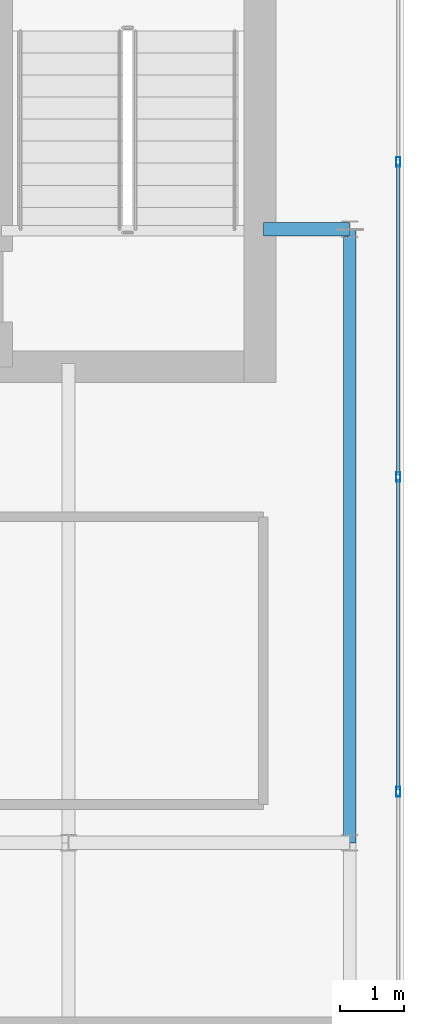
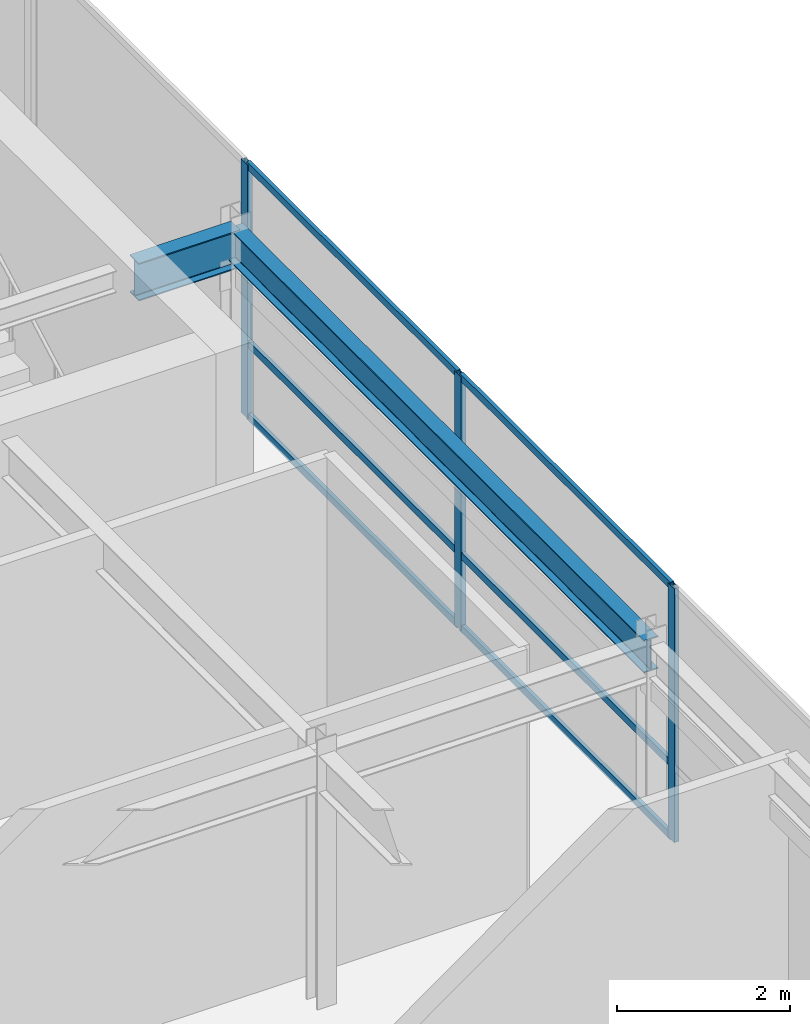
# One storey, part 24 of 36: 9 members, 2 beams, 1 element without a shape of its own.
"""IFC4 building model written with IfcOpenShell, lengths in metres."""

from ifc_helpers import new_model, si_unit, direction, frame, origin, origin_2d, place, context, subcontext, project, spatial, hollow_rectangle, i_section, extrude, source, transform, mapped, material, layer, layer_set, material_profile, profile_set, type_object, type_shapes, element, aggregate, save


model = new_model("IFC4")

# Units and contexts
model_context = context("Model", 3, precision=1e-05, world=origin(), true_north=direction((0.0, 1.0)))
body_context = subcontext(model_context, "Body", "Model", "MODEL_VIEW")
ifc_project = project(units=[si_unit("LENGTHUNIT", "METRE"), si_unit("AREAUNIT", "SQUARE_METRE"), si_unit("VOLUMEUNIT", "CUBIC_METRE"), si_unit("PLANEANGLEUNIT", "RADIAN"), si_unit("MASSUNIT", "GRAM", prefix="KILO")], contexts=[model_context])

# Site, building, storey
site_placement = place(None, origin())
site = spatial("IfcSite", under=ifc_project, at=site_placement, CompositionType="ELEMENT")
building_placement = place(site_placement, origin())
building = spatial("IfcBuilding", under=site, at=building_placement, Name="Tolvann Quenvar Hotel", CompositionType="ELEMENT")
storey_placement = place(building_placement, frame((0.0, 0.0, 298.550048828125)))
storey = spatial("IfcBuildingStorey", under=building, at=storey_placement, Name="L79", CompositionType="ELEMENT", Elevation=298.550048828125)

# Beams
ifc_material_1 = material(Name="Steel Grade 350", Category="steel")
ifc_material_profile_1 = material_profile(ifc_material_1, i_section(OverallWidth=0.19091796875, OverallDepth=0.4599609375, WebThickness=0.010009765625, FlangeThickness=0.01611328125, FilletRadius=0.011474609375, at=origin_2d()), Name="460UB82")
ifc_profile_set_1 = profile_set([ifc_material_profile_1], Name="Steel Grade 350")
beam_type_1 = type_object("IfcBeamType", Name="BM_SPAND_460UB82", PredefinedType="SPANDREL", material=ifc_profile_set_1)
shared_shape_1 = source(origin(), body_context, "Body", "SweptSolid", [
    extrude(i_section(OverallWidth=0.19091796875, OverallDepth=0.4599609375, WebThickness=0.010009765625, FlangeThickness=0.01611328125, FilletRadius=0.011474609375, at=origin_2d()), origin(), (0.0, 0.0, 1.0), 9.60009765625),
])
type_shapes(beam_type_1, [shared_shape_1])
beam_1_placement = place(storey_placement, frame((37.14990234375, 24.39990234375, 3.349853515625), z_axis=(0.0, 1.0, 0.0), x_axis=(-1.0, 0.0, 0.0)))
element("IfcBeam", 1, at=beam_1_placement, inside=storey, type_object=beam_type_1, Name="BM-L79-FLK-G1", PredefinedType="SPANDREL", context=body_context, shape_type="MappedRepresentation", body=[
    mapped(shared_shape_1, transform((0.0, 0.0, 0.0), x_axis=(1.0, 0.0, 0.0), y_axis=(0.0, 1.0, 0.0), z_axis=(0.0, 0.0, 1.0), scale=1.0)),
])
ifc_material_profile_2 = material_profile(ifc_material_1, i_section(OverallWidth=0.208984375, OverallDepth=0.532958984375, WebThickness=0.01025390625, FlangeThickness=0.015625, FilletRadius=0.013916015625, at=origin_2d()), Name="530UB92")
ifc_profile_set_2 = profile_set([ifc_material_profile_2], Name="Steel Grade 350")
beam_type_2 = type_object("IfcBeamType", Name="BM_GIRD_530UB92", PredefinedType="BEAM", material=ifc_profile_set_2)
shared_shape_2 = source(origin(), body_context, "Body", "SweptSolid", [
    extrude(i_section(OverallWidth=0.208984375, OverallDepth=0.532958984375, WebThickness=0.01025390625, FlangeThickness=0.015625, FilletRadius=0.013916015625, at=origin_2d()), origin(), (0.0, 0.0, 1.0), 1.349853515625),
])
type_shapes(beam_type_2, [shared_shape_2])
beam_2_placement = place(storey_placement, frame((35.800048828125, 34.0, 3.3134765625), z_axis=(1.0, 0.0, 0.0), x_axis=(0.0, 1.0, 0.0)))
element("IfcBeam", 2, at=beam_2_placement, inside=storey, type_object=beam_type_2, Name="BM-L79-CTE-GD6", PredefinedType="BEAM", context=body_context, shape_type="MappedRepresentation", body=[
    mapped(shared_shape_2, transform((0.0, 0.0, 0.0), x_axis=(1.0, 0.0, 0.0), y_axis=(0.0, 1.0, 0.0), z_axis=(0.0, 0.0, 1.0), scale=1.0)),
])

# Curtain wall, members
ifc_material_2 = material(Name="Thermally broken anodised architectural aluminium 6063-T6 and laminated low-E glass", Category="aluminium")
ifc_layer = layer(ifc_material_2, 0.179931640625)
ifc_layer_set = layer_set([ifc_layer], Name="Thermally broken anodised architectural aluminium 6063-T6 and laminated low-E glass")
curtain_wall_type = type_object("IfcCurtainWallType", Name="CW_SYS_LANT_06", PredefinedType="USERDEFINED", material=ifc_layer_set)
curtain_wall_placement = place(storey_placement, origin())
curtain_wall = element("IfcCurtainWall", 3, at=curtain_wall_placement, inside=storey, type_object=curtain_wall_type, Name="Curtain Wall CW-LANT-06 (CWR-L79-E09)", ObjectType="UNITISED CURTAIN WALL", PredefinedType="USERDEFINED")
ifc_material_3 = material(Name="Anodised architectural aluminium 6063-T6 framing", Category="aluminium")
ifc_material_profile_3 = material_profile(ifc_material_3, hollow_rectangle(XDim=0.050048828125, YDim=0.10009765625, WallThickness=0.0029296875, at=origin_2d()), Name="100x50x3RHS")
ifc_profile_set_3 = profile_set([ifc_material_profile_3], Name="Anodised architectural aluminium 6063-T6 framing")
member_type_1 = type_object("IfcMemberType", Name="CW_TRAN_100x50", PredefinedType="USERDEFINED", material=ifc_profile_set_3)
shared_shape_3 = source(origin(), body_context, "Body", "SweptSolid", [
    extrude(hollow_rectangle(XDim=0.050048828125, YDim=0.10009765625, WallThickness=0.0029296875, at=origin_2d()), origin(), (0.0, 0.0, 1.0), 4.86279296875),
])
member_1_placement = place(storey_placement, frame((37.909912109375, 25.232421875, 0.02490234375), z_axis=(0.0, 1.0, 0.0), x_axis=(-1.0, 0.0, 0.0)))
member_1 = element("IfcMember", 4, at=member_1_placement, type_object=member_type_1, Name="CW-LANT-06 transom 4.1", ObjectType="TRANSOM", PredefinedType="USERDEFINED", context=body_context, shape_type="MappedRepresentation", body=[
    mapped(shared_shape_3, transform((0.0, 0.0, 0.0), x_axis=(1.0, 0.0, 0.0), y_axis=(0.0, 1.0, 0.0), z_axis=(0.0, 0.0, 1.0), scale=1.0)),
])
member_2_placement = place(storey_placement, frame((37.909912109375, 25.232421875, 1.050048828125), z_axis=(0.0, 1.0, 0.0), x_axis=(-1.0, 0.0, 0.0)))
member_2 = element("IfcMember", 5, at=member_2_placement, type_object=member_type_1, Name="CW-LANT-06 transom 4.2", ObjectType="TRANSOM", PredefinedType="USERDEFINED", context=body_context, shape_type="MappedRepresentation", body=[
    mapped(shared_shape_3, transform((0.0, 0.0, 0.0), x_axis=(1.0, 0.0, 0.0), y_axis=(0.0, 1.0, 0.0), z_axis=(0.0, 0.0, 1.0), scale=1.0)),
])
member_3_placement = place(storey_placement, frame((37.909912109375, 25.232421875, 3.554931640625), z_axis=(0.0, 1.0, 0.0), x_axis=(-1.0, 0.0, 0.0)))
member_3 = element("IfcMember", 6, at=member_3_placement, type_object=member_type_1, Name="CW-LANT-06 transom 4.3", ObjectType="TRANSOM", PredefinedType="USERDEFINED", context=body_context, shape_type="MappedRepresentation", body=[
    mapped(shared_shape_3, transform((0.0, 0.0, 0.0), x_axis=(1.0, 0.0, 0.0), y_axis=(0.0, 1.0, 0.0), z_axis=(0.0, 0.0, 1.0), scale=1.0)),
])
shared_shape_4 = source(origin(), body_context, "Body", "SweptSolid", [
    extrude(hollow_rectangle(XDim=0.050048828125, YDim=0.10009765625, WallThickness=0.0029296875, at=origin_2d()), origin(), (0.0, 0.0, 1.0), 4.862548828125),
])
type_shapes(member_type_1, [shared_shape_3, shared_shape_4])
member_4_placement = place(storey_placement, frame((37.909912109375, 30.16015625, 0.02490234375), z_axis=(0.0, 1.0, 0.0), x_axis=(-1.0, 0.0, 0.0)))
member_4 = element("IfcMember", 7, at=member_4_placement, type_object=member_type_1, Name="CW-LANT-06 transom 5.1", ObjectType="TRANSOM", PredefinedType="USERDEFINED", context=body_context, shape_type="MappedRepresentation", body=[
    mapped(shared_shape_4, transform((0.0, 0.0, 0.0), x_axis=(1.0, 0.0, 0.0), y_axis=(0.0, 1.0, 0.0), z_axis=(0.0, 0.0, 1.0), scale=1.0)),
])
member_5_placement = place(storey_placement, frame((37.909912109375, 30.16015625, 1.050048828125), z_axis=(0.0, 1.0, 0.0), x_axis=(-1.0, 0.0, 0.0)))
member_5 = element("IfcMember", 8, at=member_5_placement, type_object=member_type_1, Name="CW-LANT-06 transom 5.2", ObjectType="TRANSOM", PredefinedType="USERDEFINED", context=body_context, shape_type="MappedRepresentation", body=[
    mapped(shared_shape_4, transform((0.0, 0.0, 0.0), x_axis=(1.0, 0.0, 0.0), y_axis=(0.0, 1.0, 0.0), z_axis=(0.0, 0.0, 1.0), scale=1.0)),
])
member_6_placement = place(storey_placement, frame((37.909912109375, 30.16015625, 3.554931640625), z_axis=(0.0, 1.0, 0.0), x_axis=(-1.0, 0.0, 0.0)))
member_6 = element("IfcMember", 9, at=member_6_placement, type_object=member_type_1, Name="CW-LANT-06 transom 5.3", ObjectType="TRANSOM", PredefinedType="USERDEFINED", context=body_context, shape_type="MappedRepresentation", body=[
    mapped(shared_shape_4, transform((0.0, 0.0, 0.0), x_axis=(1.0, 0.0, 0.0), y_axis=(0.0, 1.0, 0.0), z_axis=(0.0, 0.0, 1.0), scale=1.0)),
])
ifc_material_profile_4 = material_profile(ifc_material_3, hollow_rectangle(XDim=0.06494140625, YDim=0.14990234375, WallThickness=0.00390625, at=origin_2d()), Name="150x65x4RHS")
ifc_profile_set_4 = profile_set([ifc_material_profile_4], Name="Anodised architectural aluminium 6063-T6 framing")
member_type_2 = type_object("IfcMemberType", Name="CW_MULL_150x65", PredefinedType="MULLION", material=ifc_profile_set_4)
shared_shape_5 = source(origin(), body_context, "Body", "SweptSolid", [
    extrude(hollow_rectangle(XDim=0.06494140625, YDim=0.14990234375, WallThickness=0.00390625, at=origin_2d()), origin(), (0.0, 0.0, 1.0), 3.579833984375),
])
type_shapes(member_type_2, [shared_shape_5])
member_7_placement = place(storey_placement, frame((37.909912109375, 25.199951171875, 0.0), z_axis=(0.0, 0.0, 1.0), x_axis=(-1.0, 0.0, 0.0)))
member_7 = element("IfcMember", 10, at=member_7_placement, type_object=member_type_2, Name="CW-LANT-06 mullion 4", PredefinedType="MULLION", context=body_context, shape_type="MappedRepresentation", body=[
    mapped(shared_shape_5, transform((0.0, 0.0, 0.0), x_axis=(1.0, 0.0, 0.0), y_axis=(0.0, 1.0, 0.0), z_axis=(0.0, 0.0, 1.0), scale=1.0)),
])
member_8_placement = place(storey_placement, frame((37.909912109375, 30.127685546875, 0.0), z_axis=(0.0, 0.0, 1.0), x_axis=(-1.0, 0.0, 0.0)))
member_8 = element("IfcMember", 11, at=member_8_placement, type_object=member_type_2, Name="CW-LANT-06 mullion 5", PredefinedType="MULLION", context=body_context, shape_type="MappedRepresentation", body=[
    mapped(shared_shape_5, transform((0.0, 0.0, 0.0), x_axis=(1.0, 0.0, 0.0), y_axis=(0.0, 1.0, 0.0), z_axis=(0.0, 0.0, 1.0), scale=1.0)),
])
member_9_placement = place(storey_placement, frame((37.909912109375, 35.05517578125, 0.0), z_axis=(0.0, 0.0, 1.0), x_axis=(-1.0, 0.0, 0.0)))
member_9 = element("IfcMember", 12, at=member_9_placement, type_object=member_type_2, Name="CW-LANT-06 mullion 6", PredefinedType="MULLION", context=body_context, shape_type="MappedRepresentation", body=[
    mapped(shared_shape_5, transform((0.0, 0.0, 0.0), x_axis=(1.0, 0.0, 0.0), y_axis=(0.0, 1.0, 0.0), z_axis=(0.0, 0.0, 1.0), scale=1.0)),
])
aggregate(curtain_wall, [member_7, member_8, member_9, member_1, member_2, member_3, member_4, member_5, member_6])

save(model, "model.ifc")
